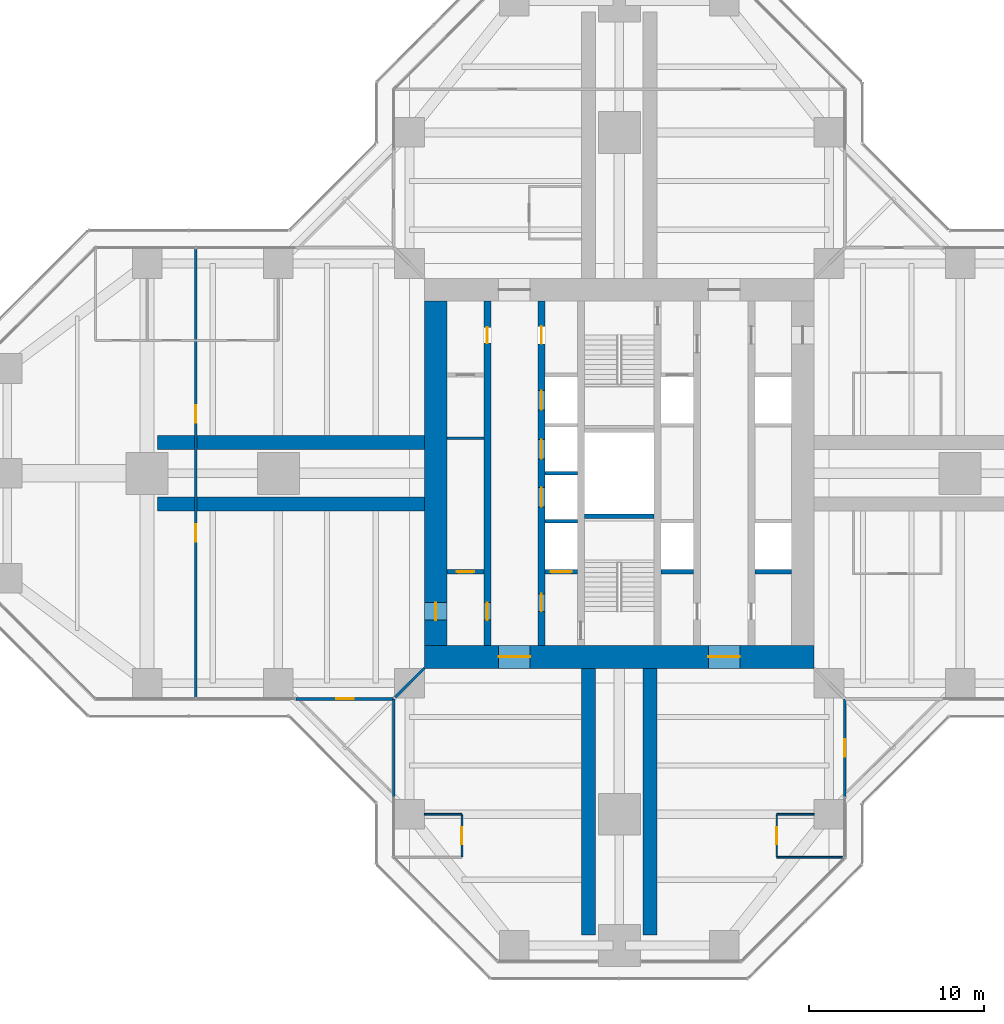
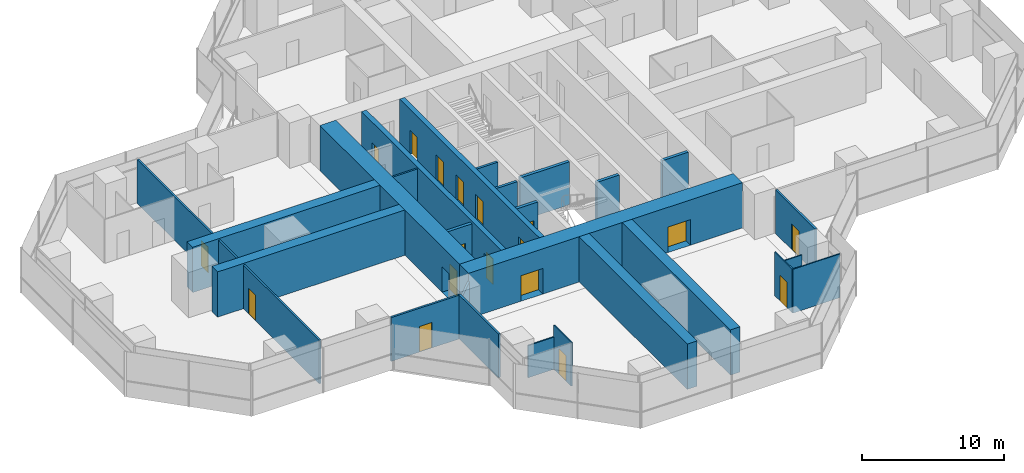
# One storey, part 15 of 19: 26 walls, 18 doors, 18 openings.
"""IFC4 building model written with IfcOpenShell, lengths in metres."""

from ifc_helpers import new_model, si_unit, direction, frame, frame_2d, origin, place, context, subcontext, project, spatial, rectangle, extrude, material, layer, layer_set, type_object, element, fill, save


model = new_model("IFC4")

# Units and contexts
model_context = context("Model", 3, precision=1e-05, world=origin(), true_north=direction((0.0, 1.0)))
body_context = subcontext(model_context, "Body", "Model", "MODEL_VIEW")
ifc_project = project(units=[si_unit("LENGTHUNIT", "METRE"), si_unit("AREAUNIT", "SQUARE_METRE"), si_unit("VOLUMEUNIT", "CUBIC_METRE"), si_unit("PLANEANGLEUNIT", "RADIAN"), si_unit("MASSUNIT", "GRAM", prefix="KILO")], contexts=[model_context])

# Site, building, storey
site_placement = place(None, origin())
site = spatial("IfcSite", under=ifc_project, at=site_placement, CompositionType="ELEMENT")
building_placement = place(site_placement, origin())
building = spatial("IfcBuilding", under=site, at=building_placement, Name="Mizan Broadcast Tower", CompositionType="ELEMENT")
storey_placement = place(building_placement, frame((0.0, 0.0, 167.10009765625)))
storey = spatial("IfcBuildingStorey", under=building, at=storey_placement, Name="L38", CompositionType="ELEMENT", Elevation=167.10009765625)

# Wall, openings, doors
ifc_material_1 = material(Name="Concrete C70/85", Category="concrete")
ifc_layer_1 = layer(ifc_material_1, 0.39990234375)
ifc_layer_set_1 = layer_set([ifc_layer_1], Name="Concrete C70/85")
wall_type_1 = type_object("IfcWallType", Name="CORE INTERNAL WALL 400", PredefinedType="SHEAR", material=ifc_layer_set_1)
wall_1_placement = place(storey_placement, frame((-7.550048828125, -9.85009765625, 0.0), z_axis=(0.0, 0.0, 1.0), x_axis=(0.0, 1.0, 0.0)))
wall_1 = element("IfcWall", 1, at=wall_1_placement, inside=storey, type_object=wall_type_1, Name="Core wall CORE/XW1", PredefinedType="SHEAR", context=body_context, shape_type="SweptSolid", body=[
    extrude(rectangle(XDim=19.7001953125, YDim=0.39990234375, at=frame_2d((9.85009765625, 0.0))), origin(), (0.0, 0.0, 1.0), 3.89990234375),
])
opening_1_placement = place(wall_1_placement, frame((1.449951171875, 0.0, 0.0)))
opening_1 = element("IfcOpeningElement", 2, at=opening_1_placement, cuts=wall_1, Name="Opening D10F", PredefinedType="OPENING", context=body_context, shape_type="SweptSolid", body=[
    extrude(rectangle(XDim=1.0, YDim=2.199951171875, at=frame_2d((0.5, 1.10009765625))), frame((0.0, 0.2099609375, 0.0), z_axis=(0.0, -1.0, 0.0), x_axis=(1.0, 0.0, 0.0)), (0.0, 0.0, 1.0), 0.419921875),
])
opening_2_placement = place(wall_1_placement, frame((17.300048828125, 0.0, 0.0)))
opening_2 = element("IfcOpeningElement", 3, at=opening_2_placement, cuts=wall_1, Name="Opening D09", PredefinedType="OPENING", context=body_context, shape_type="SweptSolid", body=[
    extrude(rectangle(XDim=0.89990234375, YDim=2.10009765625, at=frame_2d((0.449951171875, 1.050048828125))), frame((0.0, 0.2099609375, 0.0), z_axis=(0.0, -1.0, 0.0), x_axis=(1.0, 0.0, 0.0)), (0.0, 0.0, 1.0), 0.419921875),
])
ifc_material_2 = material(Name="Steel door leaf in steel frame", Category="steel")
door_type_1 = type_object("IfcDoorType", Name="FIRE DOOR 1000 FD90", OperationType="SINGLE_SWING_LEFT", PredefinedType="DOOR", material=ifc_material_2)
door_1_placement = place(opening_1_placement, origin())
door_1 = element("IfcDoor", 4, at=door_1_placement, inside=storey, type_object=door_type_1, Name="West core passage door", OperationType="SINGLE_SWING_LEFT", OverallHeight=2.199951171875, OverallWidth=1.0, PredefinedType="DOOR", context=body_context, shape_type="SweptSolid", body=[
    extrude(rectangle(XDim=1.0, YDim=2.199951171875, at=frame_2d((0.5, 1.10009765625))), frame((0.0, 0.02490234375, 0.0), z_axis=(0.0, -1.0, 0.0), x_axis=(1.0, 0.0, 0.0)), (0.0, 0.0, 1.0), 0.050048828125),
])
fill(opening_1, door_1)
ifc_material_3 = material(Name="Timber door leaf in aluminium frame", Category="wood")
door_type_2 = type_object("IfcDoorType", Name="TOILET DOOR 900", OperationType="SINGLE_SWING_LEFT", PredefinedType="DOOR", material=ifc_material_3)
door_2_placement = place(opening_2_placement, origin())
door_2 = element("IfcDoor", 5, at=door_2_placement, inside=storey, type_object=door_type_2, Name="Male WC door", OperationType="SINGLE_SWING_RIGHT", OverallHeight=2.10009765625, OverallWidth=0.89990234375, PredefinedType="DOOR", context=body_context, shape_type="SweptSolid", body=[
    extrude(rectangle(XDim=0.89990234375, YDim=2.10009765625, at=frame_2d((0.449951171875, 1.050048828125))), frame((0.0, 0.02490234375, 0.0), z_axis=(0.0, -1.0, 0.0), x_axis=(1.0, 0.0, 0.0)), (0.0, 0.0, 1.0), 0.050048828125),
])
fill(opening_2, door_2)

wall_2_placement = place(storey_placement, frame((-4.449951171875, -9.85009765625, 0.0), z_axis=(0.0, 0.0, 1.0), x_axis=(0.0, 1.0, 0.0)))
wall_2 = element("IfcWall", 6, at=wall_2_placement, inside=storey, type_object=wall_type_1, Name="Core wall CORE/XWH", PredefinedType="SHEAR", context=body_context, shape_type="SweptSolid", body=[
    extrude(rectangle(XDim=19.7001953125, YDim=0.39990234375, at=frame_2d((9.85009765625, 0.0))), origin(), (0.0, 0.0, 1.0), 3.89990234375),
])
opening_3_placement = place(wall_2_placement, frame((1.949951171875, 0.0, 0.0)))
opening_3 = element("IfcOpeningElement", 7, at=opening_3_placement, cuts=wall_2, Name="Opening D10F", PredefinedType="OPENING", context=body_context, shape_type="SweptSolid", body=[
    extrude(rectangle(XDim=1.0, YDim=2.199951171875, at=frame_2d((0.5, 1.10009765625))), frame((0.0, 0.2099609375, 0.0), z_axis=(0.0, -1.0, 0.0), x_axis=(1.0, 0.0, 0.0)), (0.0, 0.0, 1.0), 0.419921875),
])
opening_4_placement = place(wall_2_placement, frame((17.25, 0.0, 0.0)))
opening_4 = element("IfcOpeningElement", 8, at=opening_4_placement, cuts=wall_2, Name="Opening D10A", PredefinedType="OPENING", context=body_context, shape_type="SweptSolid", body=[
    extrude(rectangle(XDim=1.0, YDim=2.10009765625, at=frame_2d((0.5, 1.050048828125))), frame((0.0, 0.2099609375, 0.0), z_axis=(0.0, -1.0, 0.0), x_axis=(1.0, 0.0, 0.0)), (0.0, 0.0, 1.0), 0.419921875),
])
opening_5_placement = place(wall_2_placement, frame((7.925048828125, 0.0, 0.0)))
opening_5 = element("IfcOpeningElement", 9, at=opening_5_placement, cuts=wall_2, Name="Opening LD", PredefinedType="OPENING", context=body_context, shape_type="SweptSolid", body=[
    extrude(rectangle(XDim=1.10009765625, YDim=2.199951171875, at=frame_2d((0.550048828125, 1.10009765625))), frame((0.0, 0.2099609375, 0.0), z_axis=(0.0, -1.0, 0.0), x_axis=(1.0, 0.0, 0.0)), (0.0, 0.0, 1.0), 0.419921875),
])
opening_6_placement = place(wall_2_placement, frame((10.675048828125, 0.0, 0.0)))
opening_6 = element("IfcOpeningElement", 10, at=opening_6_placement, cuts=wall_2, Name="Opening LD", PredefinedType="OPENING", context=body_context, shape_type="SweptSolid", body=[
    extrude(rectangle(XDim=1.10009765625, YDim=2.199951171875, at=frame_2d((0.550048828125, 1.10009765625))), frame((0.0, 0.2099609375, 0.0), z_axis=(0.0, -1.0, 0.0), x_axis=(1.0, 0.0, 0.0)), (0.0, 0.0, 1.0), 0.419921875),
])
opening_7_placement = place(wall_2_placement, frame((13.47509765625, 0.0, 0.0)))
opening_7 = element("IfcOpeningElement", 11, at=opening_7_placement, cuts=wall_2, Name="Opening LD", PredefinedType="OPENING", context=body_context, shape_type="SweptSolid", body=[
    extrude(rectangle(XDim=1.10009765625, YDim=2.199951171875, at=frame_2d((0.550048828125, 1.10009765625))), frame((0.0, 0.2099609375, 0.0), z_axis=(0.0, -1.0, 0.0), x_axis=(1.0, 0.0, 0.0)), (0.0, 0.0, 1.0), 0.419921875),
])
ifc_material_4 = material(Name="Timber door leaf in aluminium frame", Category="wood")
door_type_3 = type_object("IfcDoorType", Name="ACCESSIBLE WC DOOR 1000", OperationType="SLIDING_TO_LEFT", PredefinedType="DOOR", material=ifc_material_4)
door_3_placement = place(opening_4_placement, origin())
door_3 = element("IfcDoor", 12, at=door_3_placement, inside=storey, type_object=door_type_3, Name="Accessible WC door", OperationType="SLIDING_TO_LEFT", OverallHeight=2.10009765625, OverallWidth=1.0, PredefinedType="DOOR", context=body_context, shape_type="SweptSolid", body=[
    extrude(rectangle(XDim=1.0, YDim=2.10009765625, at=frame_2d((0.5, 1.050048828125))), frame((0.0, 0.02490234375, 0.0), z_axis=(0.0, -1.0, 0.0), x_axis=(1.0, 0.0, 0.0)), (0.0, 0.0, 1.0), 0.050048828125),
])
fill(opening_4, door_3)
door_4_placement = place(opening_3_placement, origin())
door_4 = element("IfcDoor", 13, at=door_4_placement, inside=storey, type_object=door_type_1, Name="Firefighting lobby A door", OperationType="SINGLE_SWING_LEFT", OverallHeight=2.199951171875, OverallWidth=1.0, PredefinedType="DOOR", context=body_context, shape_type="SweptSolid", body=[
    extrude(rectangle(XDim=1.0, YDim=2.199951171875, at=frame_2d((0.5, 1.10009765625))), frame((0.0, 0.02490234375, 0.0), z_axis=(0.0, -1.0, 0.0), x_axis=(1.0, 0.0, 0.0)), (0.0, 0.0, 1.0), 0.050048828125),
])
fill(opening_3, door_4)
ifc_material_5 = material(Name="Steel door leaf in steel frame", Category="steel")
door_type_4 = type_object("IfcDoorType", Name="LIFT LANDING DOOR 1100", OperationType="SLIDING_TO_LEFT", PredefinedType="DOOR", material=ifc_material_5)
door_5_placement = place(opening_5_placement, origin())
door_5 = element("IfcDoor", 14, at=door_5_placement, inside=storey, type_object=door_type_4, Name="Landing door LB1", OperationType="SLIDING_TO_LEFT", OverallHeight=2.199951171875, OverallWidth=1.10009765625, PredefinedType="DOOR", context=body_context, shape_type="SweptSolid", body=[
    extrude(rectangle(XDim=1.10009765625, YDim=2.199951171875, at=frame_2d((0.550048828125, 1.10009765625))), frame((0.0, 0.02490234375, 0.0), z_axis=(0.0, -1.0, 0.0), x_axis=(1.0, 0.0, 0.0)), (0.0, 0.0, 1.0), 0.050048828125),
])
fill(opening_5, door_5)
door_6_placement = place(opening_6_placement, origin())
door_6 = element("IfcDoor", 15, at=door_6_placement, inside=storey, type_object=door_type_4, Name="Landing door LB2", OperationType="SLIDING_TO_LEFT", OverallHeight=2.199951171875, OverallWidth=1.10009765625, PredefinedType="DOOR", context=body_context, shape_type="SweptSolid", body=[
    extrude(rectangle(XDim=1.10009765625, YDim=2.199951171875, at=frame_2d((0.550048828125, 1.10009765625))), frame((0.0, 0.02490234375, 0.0), z_axis=(0.0, -1.0, 0.0), x_axis=(1.0, 0.0, 0.0)), (0.0, 0.0, 1.0), 0.050048828125),
])
fill(opening_6, door_6)
door_7_placement = place(opening_7_placement, origin())
door_7 = element("IfcDoor", 16, at=door_7_placement, inside=storey, type_object=door_type_4, Name="Landing door LB3", OperationType="SLIDING_TO_LEFT", OverallHeight=2.199951171875, OverallWidth=1.10009765625, PredefinedType="DOOR", context=body_context, shape_type="SweptSolid", body=[
    extrude(rectangle(XDim=1.10009765625, YDim=2.199951171875, at=frame_2d((0.550048828125, 1.10009765625))), frame((0.0, 0.02490234375, 0.0), z_axis=(0.0, -1.0, 0.0), x_axis=(1.0, 0.0, 0.0)), (0.0, 0.0, 1.0), 0.050048828125),
])
fill(opening_7, door_7)

# Wall
ifc_material_6 = material(Name="Concrete blockwork", Category="masonry")
ifc_layer_2 = layer(ifc_material_6, 0.14990234375)
ifc_layer_set_2 = layer_set([ifc_layer_2], Name="Concrete blockwork")
wall_type_2 = type_object("IfcWallType", Name="CORE PARTITION 150", PredefinedType="SOLIDWALL", material=ifc_layer_set_2)
wall_3_placement = place(storey_placement, frame((-9.85009765625, 2.0, 0.0), z_axis=(0.0, 0.0, 1.0), x_axis=(1.0, 0.0, 0.0)))
element("IfcWall", 17, at=wall_3_placement, inside=storey, type_object=wall_type_2, Name="Core partition CORE/XP1", PredefinedType="SOLIDWALL", context=body_context, shape_type="SweptSolid", body=[
    extrude(rectangle(XDim=2.10009765625, YDim=0.14990234375, at=frame_2d((1.050048828125, 0.0))), origin(), (0.0, 0.0, 1.0), 3.77001953125),
])

# Wall, openings, doors
ifc_material_7 = material(Name="Concrete C70/85", Category="concrete")
ifc_layer_3 = layer(ifc_material_7, 1.300048828125)
ifc_layer_set_3 = layer_set([ifc_layer_3], Name="Concrete C70/85")
wall_type_3 = type_object("IfcWallType", Name="CORE WALL 1300", PredefinedType="SHEAR", material=ifc_layer_set_3)
wall_4_placement = place(storey_placement, frame((11.14990234375, -10.5, 0.0), z_axis=(0.0, 0.0, 1.0), x_axis=(-1.0, 0.0, 0.0)))
wall_4 = element("IfcWall", 18, at=wall_4_placement, inside=storey, type_object=wall_type_3, Name="Core wall S L38", PredefinedType="SHEAR", context=body_context, shape_type="SweptSolid", body=[
    extrude(rectangle(XDim=22.2998046875, YDim=1.300048828125, at=frame_2d((11.14990234375, 0.0))), origin(), (0.0, 0.0, 1.0), 3.89990234375),
])
opening_8_placement = place(wall_4_placement, frame((16.25, 0.0, 0.0)))
opening_8 = element("IfcOpeningElement", 19, at=opening_8_placement, cuts=wall_4, Name="Opening D18F", PredefinedType="OPENING", context=body_context, shape_type="SweptSolid", body=[
    extrude(rectangle(XDim=1.800048828125, YDim=2.199951171875, at=frame_2d((0.89990234375, 1.10009765625))), frame((0.0, 0.659912109375, 0.0), z_axis=(0.0, -1.0, 0.0), x_axis=(1.0, 0.0, 0.0)), (0.0, 0.0, 1.0), 1.320068359375),
])
opening_9_placement = place(wall_4_placement, frame((4.25, 0.0, 0.0)))
opening_9 = element("IfcOpeningElement", 20, at=opening_9_placement, cuts=wall_4, Name="Opening D18F", PredefinedType="OPENING", context=body_context, shape_type="SweptSolid", body=[
    extrude(rectangle(XDim=1.800048828125, YDim=2.199951171875, at=frame_2d((0.89990234375, 1.10009765625))), frame((0.0, 0.659912109375, 0.0), z_axis=(0.0, -1.0, 0.0), x_axis=(1.0, 0.0, 0.0)), (0.0, 0.0, 1.0), 1.320068359375),
])
ifc_material_8 = material(Name="Steel door leaf in steel frame", Category="steel")
door_type_5 = type_object("IfcDoorType", Name="LOBBY DOUBLE DOOR 1800 FD90", OperationType="DOUBLE_DOOR_DOUBLE_SWING", PredefinedType="DOOR", material=ifc_material_8)
door_8_placement = place(opening_8_placement, origin())
door_8 = element("IfcDoor", 21, at=door_8_placement, inside=storey, type_object=door_type_5, Name="West lift lobby south door", OperationType="DOUBLE_DOOR_DOUBLE_SWING", OverallHeight=2.199951171875, OverallWidth=1.800048828125, PredefinedType="DOOR", context=body_context, shape_type="SweptSolid", body=[
    extrude(rectangle(XDim=1.800048828125, YDim=2.199951171875, at=frame_2d((0.89990234375, 1.10009765625))), frame((0.0, 0.02490234375, 0.0), z_axis=(0.0, -1.0, 0.0), x_axis=(1.0, 0.0, 0.0)), (0.0, 0.0, 1.0), 0.050048828125),
])
fill(opening_8, door_8)
door_9_placement = place(opening_9_placement, origin())
door_9 = element("IfcDoor", 22, at=door_9_placement, inside=storey, type_object=door_type_5, Name="East lift lobby south door", OperationType="DOUBLE_DOOR_DOUBLE_SWING", OverallHeight=2.199951171875, OverallWidth=1.800048828125, PredefinedType="DOOR", context=body_context, shape_type="SweptSolid", body=[
    extrude(rectangle(XDim=1.800048828125, YDim=2.199951171875, at=frame_2d((0.89990234375, 1.10009765625))), frame((0.0, 0.02490234375, 0.0), z_axis=(0.0, -1.0, 0.0), x_axis=(1.0, 0.0, 0.0)), (0.0, 0.0, 1.0), 0.050048828125),
])
fill(opening_9, door_9)

# Wall, opening, door
wall_5_placement = place(storey_placement, frame((-10.5, 9.85009765625, 0.0), z_axis=(0.0, 0.0, 1.0), x_axis=(0.0, -1.0, 0.0)))
wall_5 = element("IfcWall", 23, at=wall_5_placement, inside=storey, type_object=wall_type_3, Name="Core wall W L38", PredefinedType="SHEAR", context=body_context, shape_type="SweptSolid", body=[
    extrude(rectangle(XDim=19.7001953125, YDim=1.300048828125, at=frame_2d((9.85009765625, 0.0))), origin(), (0.0, 0.0, 1.0), 3.89990234375),
])
opening_10_placement = place(wall_5_placement, frame((17.25, 0.0, 0.0)))
opening_10 = element("IfcOpeningElement", 24, at=opening_10_placement, cuts=wall_5, Name="Opening D10F", PredefinedType="OPENING", context=body_context, shape_type="SweptSolid", body=[
    extrude(rectangle(XDim=1.0, YDim=2.199951171875, at=frame_2d((0.5, 1.10009765625))), frame((0.0, 0.659912109375, 0.0), z_axis=(0.0, -1.0, 0.0), x_axis=(1.0, 0.0, 0.0)), (0.0, 0.0, 1.0), 1.320068359375),
])
door_10_placement = place(opening_10_placement, origin())
door_10 = element("IfcDoor", 25, at=door_10_placement, inside=storey, type_object=door_type_1, Name="West core passage arm door", OperationType="SINGLE_SWING_RIGHT", OverallHeight=2.199951171875, OverallWidth=1.0, PredefinedType="DOOR", context=body_context, shape_type="SweptSolid", body=[
    extrude(rectangle(XDim=1.0, YDim=2.199951171875, at=frame_2d((0.5, 1.10009765625))), frame((0.0, 0.02490234375, 0.0), z_axis=(0.0, -1.0, 0.0), x_axis=(1.0, 0.0, 0.0)), (0.0, 0.0, 1.0), 0.050048828125),
])
fill(opening_10, door_10)

ifc_material_9 = material(Name="Aluminium framed glazed screen", Category="aluminium")
ifc_layer_4 = layer(ifc_material_9, 0.159912109375)
ifc_layer_set_4 = layer_set([ifc_layer_4], Name="Aluminium framed glazed screen")
wall_type_4 = type_object("IfcWallType", Name="GLAZED SCREEN WALL 160", PredefinedType="SOLIDWALL", material=ifc_layer_set_4)
wall_6_placement = place(storey_placement, frame((-18.5, -12.89990234375, 0.0), z_axis=(0.0, 0.0, 1.0), x_axis=(1.0, 0.0, 0.0)))
wall_6 = element("IfcWall", 26, at=wall_6_placement, inside=storey, type_object=wall_type_4, Name="Winter garden screen L38 W", PredefinedType="SOLIDWALL", context=body_context, shape_type="SweptSolid", body=[
    extrude(rectangle(XDim=5.60009765625, YDim=0.159912109375, at=frame_2d((2.800048828125, 0.0))), origin(), (0.0, 0.0, 1.0), 3.77001953125),
])
opening_11_placement = place(wall_6_placement, frame((2.300048828125, 0.0, 0.0)))
opening_11 = element("IfcOpeningElement", 27, at=opening_11_placement, cuts=wall_6, Name="Opening WGD", PredefinedType="OPENING", context=body_context, shape_type="SweptSolid", body=[
    extrude(rectangle(XDim=1.0, YDim=2.199951171875, at=frame_2d((0.5, 1.10009765625))), frame((0.0, 0.08984375, 0.0), z_axis=(0.0, -1.0, 0.0), x_axis=(1.0, 0.0, 0.0)), (0.0, 0.0, 1.0), 0.179931640625),
])
ifc_material_10 = material(Name="Aluminium framed glazed door", Category="aluminium")
door_type_6 = type_object("IfcDoorType", Name="WINTER GARDEN DOOR 1000 GLAZED", OperationType="SINGLE_SWING_LEFT", PredefinedType="DOOR", material=ifc_material_10)
door_11_placement = place(opening_11_placement, origin())
door_11 = element("IfcDoor", 28, at=door_11_placement, inside=storey, type_object=door_type_6, Name="Winter garden door L38 W", OperationType="SINGLE_SWING_RIGHT", OverallHeight=2.199951171875, OverallWidth=1.0, PredefinedType="DOOR", context=body_context, shape_type="SweptSolid", body=[
    extrude(rectangle(XDim=1.0, YDim=2.199951171875, at=frame_2d((0.5, 1.10009765625))), frame((0.0, 0.02490234375, 0.0), z_axis=(0.0, -1.0, 0.0), x_axis=(1.0, 0.0, 0.0)), (0.0, 0.0, 1.0), 0.050048828125),
])
fill(opening_11, door_11)

# Wall
wall_7_placement = place(storey_placement, frame((-12.89990234375, -12.89990234375, 0.0), z_axis=(0.0, 0.0, 1.0), x_axis=(0.0, -1.0, 0.0)))
element("IfcWall", 29, at=wall_7_placement, inside=storey, type_object=wall_type_4, Name="Winter garden screen L38 S", PredefinedType="SOLIDWALL", context=body_context, shape_type="SweptSolid", body=[
    extrude(rectangle(XDim=5.60009765625, YDim=0.159912109375, at=frame_2d((2.800048828125, 0.0))), origin(), (0.0, 0.0, 1.0), 3.77001953125),
])

# Wall, opening, door
wall_8_placement = place(storey_placement, frame((12.89990234375, -18.5, 0.0), z_axis=(0.0, 0.0, 1.0), x_axis=(0.0, 1.0, 0.0)))
wall_8 = element("IfcWall", 30, at=wall_8_placement, inside=storey, type_object=wall_type_4, Name="Winter garden screen L38 S", PredefinedType="SOLIDWALL", context=body_context, shape_type="SweptSolid", body=[
    extrude(rectangle(XDim=5.60009765625, YDim=0.159912109375, at=frame_2d((2.800048828125, 0.0))), origin(), (0.0, 0.0, 1.0), 3.77001953125),
])
opening_12_placement = place(wall_8_placement, frame((2.300048828125, 0.0, 0.0)))
opening_12 = element("IfcOpeningElement", 31, at=opening_12_placement, cuts=wall_8, Name="Opening WGD", PredefinedType="OPENING", context=body_context, shape_type="SweptSolid", body=[
    extrude(rectangle(XDim=1.0, YDim=2.199951171875, at=frame_2d((0.5, 1.10009765625))), frame((0.0, 0.08984375, 0.0), z_axis=(0.0, -1.0, 0.0), x_axis=(1.0, 0.0, 0.0)), (0.0, 0.0, 1.0), 0.179931640625),
])
door_12_placement = place(opening_12_placement, origin())
door_12 = element("IfcDoor", 32, at=door_12_placement, inside=storey, type_object=door_type_6, Name="Winter garden door L38 S", OperationType="SINGLE_SWING_RIGHT", OverallHeight=2.199951171875, OverallWidth=1.0, PredefinedType="DOOR", context=body_context, shape_type="SweptSolid", body=[
    extrude(rectangle(XDim=1.0, YDim=2.199951171875, at=frame_2d((0.5, 1.10009765625))), frame((0.0, 0.02490234375, 0.0), z_axis=(0.0, -1.0, 0.0), x_axis=(1.0, 0.0, 0.0)), (0.0, 0.0, 1.0), 0.050048828125),
])
fill(opening_12, door_12)

# Walls
ifc_material_11 = material(Name="Concrete blockwork", Category="masonry")
ifc_layer_5 = layer(ifc_material_11, 0.199951171875)
ifc_layer_set_5 = layer_set([ifc_layer_5], Name="Concrete blockwork")
wall_type_5 = type_object("IfcWallType", Name="LIFT SHAFT WALL 200", PredefinedType="SOLIDWALL", material=ifc_layer_set_5)
for number, where, z_axis, x_axis, name in (
    (33, (-4.25, -2.75, 0.0), (0.0, 0.0, 1.0), (1.0, 0.0, 0.0), "Lift shaft wall CORE/SW2-1"),
    (34, (-4.25, 0.0, 0.0), (0.0, 0.0, 1.0), (1.0, 0.0, 0.0), "Lift shaft wall CORE/SW2-2"),
):
    element("IfcWall", number, at=place(storey_placement, frame(where, z_axis=z_axis, x_axis=x_axis)), inside=storey, type_object=wall_type_5, Name=name, PredefinedType="SOLIDWALL", context=body_context, shape_type="SweptSolid", body=[
        extrude(rectangle(XDim=1.85009765625, YDim=0.199951171875, at=frame_2d((0.925048828125, 0.0))), origin(), (0.0, 0.0, 1.0), 3.699951171875),
    ])

# Wall, opening, door
ifc_material_12 = material(Name="Concrete blockwork", Category="masonry")
ifc_layer_6 = layer(ifc_material_12, 0.25)
ifc_layer_set_6 = layer_set([ifc_layer_6], Name="Concrete blockwork")
wall_type_6 = type_object("IfcWallType", Name="LOBBY ENCLOSURE WALL 250", PredefinedType="SOLIDWALL", material=ifc_layer_set_6)
wall_9_placement = place(storey_placement, frame((-9.85009765625, -5.625, 0.0), z_axis=(0.0, 0.0, 1.0), x_axis=(1.0, 0.0, 0.0)))
wall_9 = element("IfcWall", 35, at=wall_9_placement, inside=storey, type_object=wall_type_6, Name="Lobby enclosure wall CORE/BW1S", PredefinedType="SOLIDWALL", context=body_context, shape_type="SweptSolid", body=[
    extrude(rectangle(XDim=2.10009765625, YDim=0.25, at=frame_2d((1.050048828125, 0.0))), origin(), (0.0, 0.0, 1.0), 3.699951171875),
])
opening_13_placement = place(wall_9_placement, frame((0.550048828125, 0.0, 0.0)))
opening_13 = element("IfcOpeningElement", 36, at=opening_13_placement, cuts=wall_9, Name="Opening D10F", PredefinedType="OPENING", context=body_context, shape_type="SweptSolid", body=[
    extrude(rectangle(XDim=1.0, YDim=2.199951171875, at=frame_2d((0.5, 1.10009765625))), frame((0.0, 0.135009765625, 0.0), z_axis=(0.0, -1.0, 0.0), x_axis=(1.0, 0.0, 0.0)), (0.0, 0.0, 1.0), 0.27001953125),
])
door_13_placement = place(opening_13_placement, origin())
door_13 = element("IfcDoor", 37, at=door_13_placement, inside=storey, type_object=door_type_1, Name="Print room door", OperationType="SINGLE_SWING_RIGHT", OverallHeight=2.199951171875, OverallWidth=1.0, PredefinedType="DOOR", context=body_context, shape_type="SweptSolid", body=[
    extrude(rectangle(XDim=1.0, YDim=2.199951171875, at=frame_2d((0.5, 1.10009765625))), frame((0.0, 0.02490234375, 0.0), z_axis=(0.0, -1.0, 0.0), x_axis=(1.0, 0.0, 0.0)), (0.0, 0.0, 1.0), 0.050048828125),
])
fill(opening_13, door_13)

wall_10_placement = place(storey_placement, frame((-4.25, -5.625, 0.0), z_axis=(0.0, 0.0, 1.0), x_axis=(1.0, 0.0, 0.0)))
wall_10 = element("IfcWall", 38, at=wall_10_placement, inside=storey, type_object=wall_type_6, Name="Lobby enclosure wall CORE/BW2S", PredefinedType="SOLIDWALL", context=body_context, shape_type="SweptSolid", body=[
    extrude(rectangle(XDim=1.85009765625, YDim=0.25, at=frame_2d((0.925048828125, 0.0))), origin(), (0.0, 0.0, 1.0), 3.699951171875),
])
opening_14_placement = place(wall_10_placement, frame((0.324951171875, 0.0, 0.0)))
opening_14 = element("IfcOpeningElement", 39, at=opening_14_placement, cuts=wall_10, Name="Opening LDF", PredefinedType="OPENING", context=body_context, shape_type="SweptSolid", body=[
    extrude(rectangle(XDim=1.199951171875, YDim=2.199951171875, at=frame_2d((0.60009765625, 1.10009765625))), frame((0.0, 0.135009765625, 0.0), z_axis=(0.0, -1.0, 0.0), x_axis=(1.0, 0.0, 0.0)), (0.0, 0.0, 1.0), 0.27001953125),
])
ifc_material_13 = material(Name="Steel door leaf in steel frame", Category="steel")
door_type_7 = type_object("IfcDoorType", Name="FIREFIGHTING LIFT LANDING DOOR 1200", OperationType="SLIDING_TO_LEFT", PredefinedType="DOOR", material=ifc_material_13)
door_14_placement = place(opening_14_placement, origin())
door_14 = element("IfcDoor", 40, at=door_14_placement, inside=storey, type_object=door_type_7, Name="Landing door FF1", OperationType="SLIDING_TO_LEFT", OverallHeight=2.199951171875, OverallWidth=1.199951171875, PredefinedType="DOOR", context=body_context, shape_type="SweptSolid", body=[
    extrude(rectangle(XDim=1.199951171875, YDim=2.199951171875, at=frame_2d((0.60009765625, 1.10009765625))), frame((0.0, 0.02490234375, 0.0), z_axis=(0.0, -1.0, 0.0), x_axis=(1.0, 0.0, 0.0)), (0.0, 0.0, 1.0), 0.050048828125),
])
fill(opening_14, door_14)

# Walls
wall_11_placement = place(storey_placement, frame((2.39990234375, -5.625, 0.0), z_axis=(0.0, 0.0, 1.0), x_axis=(1.0, 0.0, 0.0)))
element("IfcWall", 41, at=wall_11_placement, inside=storey, type_object=wall_type_6, Name="Lobby enclosure wall CORE/BE2S", PredefinedType="SOLIDWALL", context=body_context, shape_type="SweptSolid", body=[
    extrude(rectangle(XDim=1.85009765625, YDim=0.25, at=frame_2d((0.925048828125, 0.0))), origin(), (0.0, 0.0, 1.0), 3.699951171875),
])
wall_12_placement = place(storey_placement, frame((7.75, -5.625, 0.0), z_axis=(0.0, 0.0, 1.0), x_axis=(1.0, 0.0, 0.0)))
element("IfcWall", 42, at=wall_12_placement, inside=storey, type_object=wall_type_6, Name="Lobby enclosure wall CORE/BE1S", PredefinedType="SOLIDWALL", context=body_context, shape_type="SweptSolid", body=[
    extrude(rectangle(XDim=2.10009765625, YDim=0.25, at=frame_2d((1.050048828125, 0.0))), origin(), (0.0, 0.0, 1.0), 3.699951171875),
])
wall_13_placement = place(storey_placement, frame((-2.0, -2.449951171875, 0.0), z_axis=(0.0, 0.0, 1.0), x_axis=(1.0, 0.0, 0.0)))
element("IfcWall", 43, at=wall_13_placement, inside=storey, type_object=wall_type_6, Name="Lobby enclosure wall CORE/STA", PredefinedType="SOLIDWALL", context=body_context, shape_type="SweptSolid", body=[
    extrude(rectangle(XDim=4.0, YDim=0.25, at=frame_2d((2.0, 0.0))), origin(), (0.0, 0.0, 1.0), 3.699951171875),
])

# Wall, openings, doors
ifc_material_14 = material(Name="Gypsum board on steel studs", Category="steel")
ifc_layer_7 = layer(ifc_material_14, 0.14990234375)
ifc_layer_set_7 = layer_set([ifc_layer_7], Name="Gypsum board on steel studs")
wall_type_7 = type_object("IfcWallType", Name="PARTITION 150", PredefinedType="PARTITIONING", material=ifc_layer_set_7)
wall_14_placement = place(storey_placement, frame((-24.22900390625, 12.820068359375, 0.0), z_axis=(0.0, 0.0, 1.0), x_axis=(0.0, -1.0, 0.0)))
wall_14 = element("IfcWall", 44, at=wall_14_placement, inside=storey, type_object=wall_type_7, Name="Partition PT/WX1", PredefinedType="PARTITIONING", context=body_context, shape_type="SweptSolid", body=[
    extrude(rectangle(XDim=25.64013671875, YDim=0.14990234375, at=frame_2d((12.820068359375, 0.0))), origin(), (0.0, 0.0, 1.0), 3.77001953125),
])
opening_15_placement = place(wall_14_placement, frame((15.719970703125, 0.0, 0.0)))
opening_15 = element("IfcOpeningElement", 45, at=opening_15_placement, cuts=wall_14, Name="Opening D10", PredefinedType="OPENING", context=body_context, shape_type="SweptSolid", body=[
    extrude(rectangle(XDim=1.0, YDim=2.199951171875, at=frame_2d((0.5, 1.10009765625))), frame((0.0, 0.0849609375, 0.0), z_axis=(0.0, -1.0, 0.0), x_axis=(1.0, 0.0, 0.0)), (0.0, 0.0, 1.0), 0.169921875),
])
opening_16_placement = place(wall_14_placement, frame((8.919921875, 0.0, 0.0)))
opening_16 = element("IfcOpeningElement", 46, at=opening_16_placement, cuts=wall_14, Name="Opening D10", PredefinedType="OPENING", context=body_context, shape_type="SweptSolid", body=[
    extrude(rectangle(XDim=1.0, YDim=2.199951171875, at=frame_2d((0.5, 1.10009765625))), frame((0.0, 0.0849609375, 0.0), z_axis=(0.0, -1.0, 0.0), x_axis=(1.0, 0.0, 0.0)), (0.0, 0.0, 1.0), 0.169921875),
])
ifc_material_15 = material(Name="Timber door leaf in aluminium frame", Category="wood")
door_type_8 = type_object("IfcDoorType", Name="ROOM DOOR 1000", OperationType="SINGLE_SWING_LEFT", PredefinedType="DOOR", material=ifc_material_15)
door_15_placement = place(opening_15_placement, origin())
door_15 = element("IfcDoor", 47, at=door_15_placement, inside=storey, type_object=door_type_8, Name="Open office door", OperationType="SINGLE_SWING_RIGHT", OverallHeight=2.199951171875, OverallWidth=1.0, PredefinedType="DOOR", context=body_context, shape_type="SweptSolid", body=[
    extrude(rectangle(XDim=1.0, YDim=2.199951171875, at=frame_2d((0.5, 1.10009765625))), frame((0.0, 0.02490234375, 0.0), z_axis=(0.0, -1.0, 0.0), x_axis=(1.0, 0.0, 0.0)), (0.0, 0.0, 1.0), 0.050048828125),
])
fill(opening_15, door_15)
door_16_placement = place(opening_16_placement, origin())
door_16 = element("IfcDoor", 48, at=door_16_placement, inside=storey, type_object=door_type_8, Name="Open office door", OperationType="SINGLE_SWING_LEFT", OverallHeight=2.199951171875, OverallWidth=1.0, PredefinedType="DOOR", context=body_context, shape_type="SweptSolid", body=[
    extrude(rectangle(XDim=1.0, YDim=2.199951171875, at=frame_2d((0.5, 1.10009765625))), frame((0.0, 0.02490234375, 0.0), z_axis=(0.0, -1.0, 0.0), x_axis=(1.0, 0.0, 0.0)), (0.0, 0.0, 1.0), 0.050048828125),
])
fill(opening_16, door_16)

# Wall
wall_15_placement = place(storey_placement, frame((-11.14990234375, -11.14990234375, 0.0), z_axis=(0.0, 0.0, 1.0), x_axis=(-0.707106781187, -0.707106781187, 0.0)))
element("IfcWall", 49, at=wall_15_placement, inside=storey, type_object=wall_type_7, Name="Partition PT/DGWS", PredefinedType="PARTITIONING", context=body_context, shape_type="SweptSolid", body=[
    extrude(rectangle(XDim=2.362060546875, YDim=0.14990234375, at=frame_2d((1.18115234375, 0.0))), origin(), (0.0, 0.0, 1.0), 3.219970703125),
])

# Wall, opening, door
ifc_material_16 = material(Name="Glazed aluminium partition on aluminium track", Category="aluminium")
ifc_layer_8 = layer(ifc_material_16, 0.10009765625)
ifc_layer_set_8 = layer_set([ifc_layer_8], Name="Glazed aluminium partition on aluminium track")
wall_type_8 = type_object("IfcWallType", Name="PARTITION GLAZED OFFICE FRONT 100", PredefinedType="PARTITIONING", material=ifc_layer_set_8)
wall_16_placement = place(storey_placement, frame((9.0, -19.5, 0.0), z_axis=(0.0, 0.0, 1.0), x_axis=(0.0, -1.0, 0.0)))
wall_16 = element("IfcWall", 50, at=wall_16_placement, inside=storey, type_object=wall_type_8, Name="Glazed office front PT/SCP0", PredefinedType="PARTITIONING", context=body_context, shape_type="SweptSolid", body=[
    extrude(rectangle(XDim=2.458984375, YDim=0.10009765625, at=frame_2d((1.2294921875, 0.0))), origin(), (0.0, 0.0, 1.0), 3.77001953125),
])
opening_17_placement = place(wall_16_placement, frame((0.7294921875, 0.0, 0.0)))
opening_17 = element("IfcOpeningElement", 51, at=opening_17_placement, cuts=wall_16, Name="Opening D10O", PredefinedType="OPENING", context=body_context, shape_type="SweptSolid", body=[
    extrude(rectangle(XDim=1.0, YDim=2.199951171875, at=frame_2d((0.5, 1.10009765625))), frame((0.0, 0.06005859375, 0.0), z_axis=(0.0, -1.0, 0.0), x_axis=(1.0, 0.0, 0.0)), (0.0, 0.0, 1.0), 0.1201171875),
])
ifc_material_17 = material(Name="Timber door leaf in aluminium frame", Category="wood")
door_type_9 = type_object("IfcDoorType", Name="OFFICE DOOR 1000 GLAZED", OperationType="SINGLE_SWING_LEFT", PredefinedType="DOOR", material=ifc_material_17)
door_17_placement = place(opening_17_placement, origin())
door_17 = element("IfcDoor", 52, at=door_17_placement, inside=storey, type_object=door_type_9, Name="Office door", OperationType="SINGLE_SWING_LEFT", OverallHeight=2.199951171875, OverallWidth=1.0, PredefinedType="DOOR", context=body_context, shape_type="SweptSolid", body=[
    extrude(rectangle(XDim=1.0, YDim=2.199951171875, at=frame_2d((0.5, 1.10009765625))), frame((0.0, 0.02490234375, 0.0), z_axis=(0.0, -1.0, 0.0), x_axis=(1.0, 0.0, 0.0)), (0.0, 0.0, 1.0), 0.050048828125),
])
fill(opening_17, door_17)

# Walls
wall_17_placement = place(storey_placement, frame((9.0, -19.5, 0.0), z_axis=(0.0, 0.0, 1.0), x_axis=(1.0, 0.0, 0.0)))
element("IfcWall", 53, at=wall_17_placement, inside=storey, type_object=wall_type_8, Name="Glazed office front PT/SQP1950", PredefinedType="PARTITIONING", context=body_context, shape_type="SweptSolid", body=[
    extrude(rectangle(XDim=2.14990234375, YDim=0.10009765625, at=frame_2d((1.074951171875, 0.0))), origin(), (0.0, 0.0, 1.0), 2.77001953125),
])
wall_18_placement = place(storey_placement, frame((9.0, -21.958984375, 0.0), z_axis=(0.0, 0.0, 1.0), x_axis=(1.0, 0.0, 0.0)))
element("IfcWall", 54, at=wall_18_placement, inside=storey, type_object=wall_type_8, Name="Glazed office front PT/SQP2196", PredefinedType="PARTITIONING", context=body_context, shape_type="SweptSolid", body=[
    extrude(rectangle(XDim=3.820068359375, YDim=0.10009765625, at=frame_2d((1.91015625, 0.0))), origin(), (0.0, 0.0, 1.0), 3.77001953125),
])

# Wall, opening, door
wall_19_placement = place(storey_placement, frame((-9.0, -19.5, 0.0), z_axis=(0.0, 0.0, 1.0), x_axis=(0.0, -1.0, 0.0)))
wall_19 = element("IfcWall", 55, at=wall_19_placement, inside=storey, type_object=wall_type_8, Name="Glazed office front PT/SCN0", PredefinedType="PARTITIONING", context=body_context, shape_type="SweptSolid", body=[
    extrude(rectangle(XDim=2.458984375, YDim=0.10009765625, at=frame_2d((1.2294921875, 0.0))), origin(), (0.0, 0.0, 1.0), 3.77001953125),
])
opening_18_placement = place(wall_19_placement, frame((0.7294921875, 0.0, 0.0)))
opening_18 = element("IfcOpeningElement", 56, at=opening_18_placement, cuts=wall_19, Name="Opening D10O", PredefinedType="OPENING", context=body_context, shape_type="SweptSolid", body=[
    extrude(rectangle(XDim=1.0, YDim=2.199951171875, at=frame_2d((0.5, 1.10009765625))), frame((0.0, 0.06005859375, 0.0), z_axis=(0.0, -1.0, 0.0), x_axis=(1.0, 0.0, 0.0)), (0.0, 0.0, 1.0), 0.1201171875),
])
door_18_placement = place(opening_18_placement, origin())
door_18 = element("IfcDoor", 57, at=door_18_placement, inside=storey, type_object=door_type_9, Name="Scanning room door", OperationType="SINGLE_SWING_LEFT", OverallHeight=2.199951171875, OverallWidth=1.0, PredefinedType="DOOR", context=body_context, shape_type="SweptSolid", body=[
    extrude(rectangle(XDim=1.0, YDim=2.199951171875, at=frame_2d((0.5, 1.10009765625))), frame((0.0, 0.02490234375, 0.0), z_axis=(0.0, -1.0, 0.0), x_axis=(1.0, 0.0, 0.0)), (0.0, 0.0, 1.0), 0.050048828125),
])
fill(opening_18, door_18)

# Walls
wall_20_placement = place(storey_placement, frame((-9.0, -19.5, 0.0), z_axis=(0.0, 0.0, 1.0), x_axis=(-1.0, 0.0, 0.0)))
element("IfcWall", 58, at=wall_20_placement, inside=storey, type_object=wall_type_8, Name="Glazed office front PT/SQN1950", PredefinedType="PARTITIONING", context=body_context, shape_type="SweptSolid", body=[
    extrude(rectangle(XDim=2.14990234375, YDim=0.10009765625, at=frame_2d((1.074951171875, 0.0))), origin(), (0.0, 0.0, 1.0), 2.77001953125),
])
ifc_material_18 = material(Name="Concrete C70/85", Category="concrete")
ifc_layer_9 = layer(ifc_material_18, 0.800048828125)
ifc_layer_set_9 = layer_set([ifc_layer_9], Name="Concrete C70/85")
wall_type_9 = type_object("IfcWallType", Name="SPINE WALL 800", PredefinedType="SHEAR", material=ifc_layer_set_9)
for number, where, z_axis, x_axis, name in (
    (59, (-11.14990234375, 1.75, 0.0), (0.0, 0.0, 1.0), (-1.0, 0.0, 0.0), "Spine wall WR L38"),
    (60, (-11.14990234375, -1.75, 0.0), (0.0, 0.0, 1.0), (-1.0, 0.0, 0.0), "Spine wall WL L38"),
    (61, (-1.75, -11.14990234375, 0.0), (0.0, 0.0, 1.0), (0.0, -1.0, 0.0), "Spine wall SR L38"),
    (62, (1.75, -11.14990234375, 0.0), (0.0, 0.0, 1.0), (0.0, -1.0, 0.0), "Spine wall SL L38"),
):
    element("IfcWall", number, at=place(storey_placement, frame(where, z_axis=z_axis, x_axis=x_axis)), inside=storey, type_object=wall_type_9, Name=name, PredefinedType="SHEAR", context=body_context, shape_type="SweptSolid", body=[
        extrude(rectangle(XDim=15.25, YDim=0.800048828125, at=frame_2d((7.625, 0.0))), origin(), (0.0, 0.0, 1.0), 3.89990234375),
    ])

save(model, "model.ifc")
